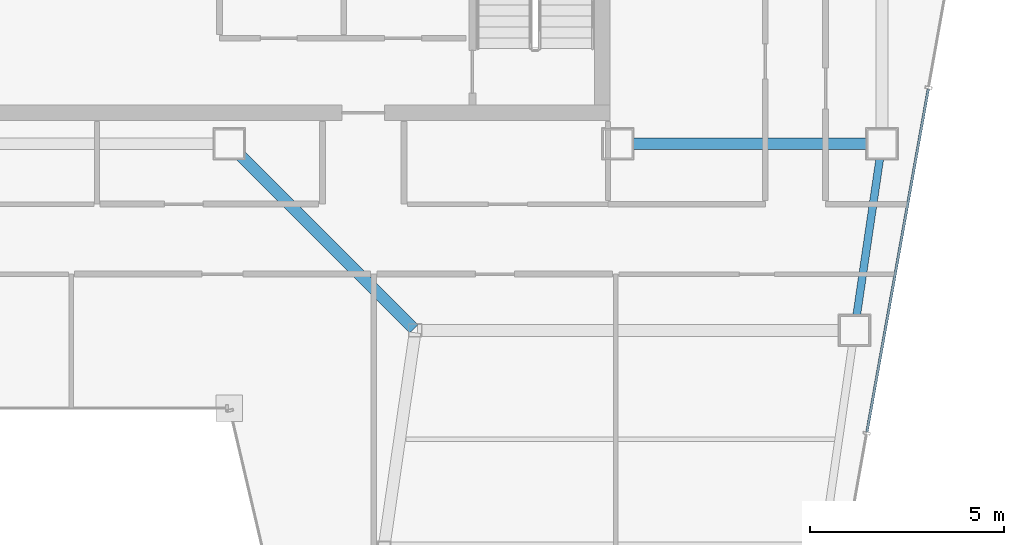
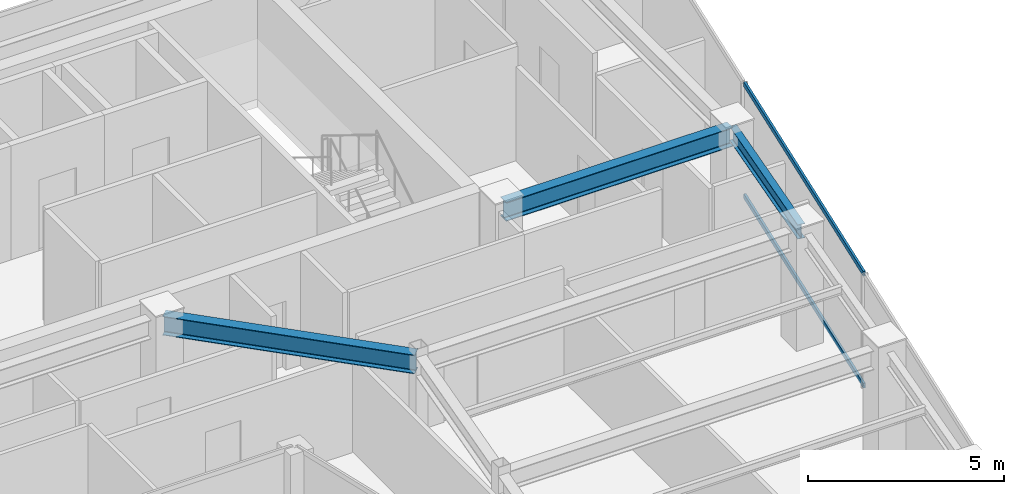
# One storey, part 18 of 32: 3 beams, 2 members, 1 element without a shape of its own.
"""IFC4 building model written with IfcOpenShell, lengths in metres."""

from ifc_helpers import new_model, si_unit, direction, frame, origin, origin_2d, place, context, subcontext, project, spatial, hollow_rectangle, i_section, extrude, material, material_profile, profile_set, type_object, element, aggregate, save


model = new_model("IFC4")

# Units and contexts
model_context = context("Model", 3, precision=1e-05, world=origin(), true_north=direction((0.0, 1.0)))
body_context = subcontext(model_context, "Body", "Model", "MODEL_VIEW")
ifc_project = project(units=[si_unit("LENGTHUNIT", "METRE"), si_unit("AREAUNIT", "SQUARE_METRE"), si_unit("VOLUMEUNIT", "CUBIC_METRE"), si_unit("PLANEANGLEUNIT", "RADIAN"), si_unit("MASSUNIT", "GRAM", prefix="KILO")], contexts=[model_context])

# Site, building, storey
site_placement = place(None, origin())
site = spatial("IfcSite", under=ifc_project, at=site_placement, CompositionType="ELEMENT")
building_placement = place(site_placement, origin())
building = spatial("IfcBuilding", under=site, at=building_placement, Name="Saevonmaru Cultural Tower", CompositionType="ELEMENT")
storey_placement = place(building_placement, frame((0.0, 0.0, 257.199951171875)))
storey = spatial("IfcBuildingStorey", under=building, at=storey_placement, Name="L60", CompositionType="ELEMENT", Elevation=257.199951171875)

# Beams
ifc_material_1 = material(Name="Steel SM355", Category="steel")
ifc_material_profile_1 = material_profile(ifc_material_1, i_section(OverallWidth=0.300048828125, OverallDepth=0.587890625, WebThickness=0.011962890625, FlangeThickness=0.02001953125, FilletRadius=0.02392578125, at=origin_2d()), Name="H-588x300x12x20")
ifc_profile_set_1 = profile_set([ifc_material_profile_1], Name="Steel SM355")
beam_type_1 = type_object("IfcBeamType", Name="BM-G-H588", PredefinedType="BEAM", material=ifc_profile_set_1)
beam_1_placement = place(storey_placement, frame((46.4599609375, 42.39990234375, 3.256103515625), z_axis=(1.0, 0.0, 0.0), x_axis=(0.0, 1.0, 0.0)))
element("IfcBeam", 1, at=beam_1_placement, inside=storey, type_object=beam_type_1, Name="L60 Core South Girder 5", PredefinedType="BEAM", context=body_context, shape_type="SweptSolid", body=[
    extrude(i_section(OverallWidth=0.300048828125, OverallDepth=0.587890625, WebThickness=0.011962890625, FlangeThickness=0.02001953125, FilletRadius=0.02392578125, at=origin_2d()), origin(), (0.0, 0.0, 1.0), 6.679931640625),
])
beam_2_placement = place(storey_placement, frame((41.149658203125, 37.642578125, 3.256103515625), z_axis=(-0.706538566564, 0.707674539572, 0.0), x_axis=(-0.707674539572, -0.706538566564, 0.0)))
element("IfcBeam", 2, at=beam_2_placement, inside=storey, type_object=beam_type_1, Name="L60 East Atrium Girder 3", PredefinedType="BEAM", context=body_context, shape_type="SweptSolid", body=[
    extrude(i_section(OverallWidth=0.300048828125, OverallDepth=0.587890625, WebThickness=0.011962890625, FlangeThickness=0.02001953125, FilletRadius=0.02392578125, at=origin_2d()), origin(), (0.0, 0.0, 1.0), 6.662353515625),
])
ifc_material_profile_2 = material_profile(ifc_material_1, i_section(OverallWidth=0.199951171875, OverallDepth=0.449951171875, WebThickness=0.009033203125, FlangeThickness=0.013916015625, FilletRadius=0.01806640625, at=origin_2d()), Name="H-450x200x9x14")
ifc_profile_set_2 = profile_set([ifc_material_profile_2], Name="Steel SM355")
beam_type_2 = type_object("IfcBeamType", Name="BM-SP-H450", PredefinedType="SPANDREL", material=ifc_profile_set_2)
beam_3_placement = place(storey_placement, frame((52.500732421875, 37.659423828125, 3.324951171875), z_axis=(0.145912860028, 0.989297446312, 0.0), x_axis=(-0.989297446312, 0.145912860028, 0.0)))
element("IfcBeam", 3, at=beam_3_placement, inside=storey, type_object=beam_type_2, Name="L60 East Splayed Spandrel 3", PredefinedType="SPANDREL", context=body_context, shape_type="SweptSolid", body=[
    extrude(i_section(OverallWidth=0.199951171875, OverallDepth=0.449951171875, WebThickness=0.009033203125, FlangeThickness=0.013916015625, FilletRadius=0.01806640625, at=origin_2d()), origin(), (0.0, 0.0, 1.0), 4.731689453125),
])

# Curtain wall, members
ifc_material_2 = material(Name="Satin Bronze Anodised Aluminium", Category="aluminium")
curtain_wall_type = type_object("IfcCurtainWallType", Name="CW-TYP-B", PredefinedType="NOTDEFINED", material=ifc_material_2)
curtain_wall_placement = place(storey_placement, origin())
curtain_wall = element("IfcCurtainWall", 4, at=curtain_wall_placement, inside=storey, type_object=curtain_wall_type, Name="L60 Unitised Curtain Wall E8", PredefinedType="NOTDEFINED")
ifc_material_profile_3 = material_profile(ifc_material_2, hollow_rectangle(XDim=0.06494140625, YDim=0.14990234375, WallThickness=0.00390625, at=origin_2d()), Name="ALU-TRAN-150x65x4")
ifc_profile_set_3 = profile_set([ifc_material_profile_3], Name="Satin Bronze Anodised Aluminium")
member_type = type_object("IfcMemberType", Name="TR-CW-150x65", PredefinedType="USERDEFINED", material=ifc_profile_set_3)
member_1_placement = place(storey_placement, frame((52.812255859375, 34.985107421875, 0.032470703125), z_axis=(0.176123157264, 0.984368139202, 0.0), x_axis=(-0.984368139202, 0.176123157264, 0.0)))
member_1 = element("IfcMember", 5, at=member_1_placement, type_object=member_type, Name="CW-TW-L60-E8 transom 2.1", ObjectType="TRANSOM", PredefinedType="USERDEFINED", context=body_context, shape_type="SweptSolid", body=[
    extrude(hollow_rectangle(XDim=0.06494140625, YDim=0.14990234375, WallThickness=0.00390625, at=origin_2d()), origin(), (0.0, 0.0, 1.0), 8.969970703125),
])
member_2_placement = place(storey_placement, frame((52.812255859375, 34.985107421875, 3.517578125), z_axis=(0.176123157264, 0.984368139202, 0.0), x_axis=(-0.984368139202, 0.176123157264, 0.0)))
member_2 = element("IfcMember", 6, at=member_2_placement, type_object=member_type, Name="CW-TW-L60-E8 transom 2.2", ObjectType="TRANSOM", PredefinedType="USERDEFINED", context=body_context, shape_type="SweptSolid", body=[
    extrude(hollow_rectangle(XDim=0.06494140625, YDim=0.14990234375, WallThickness=0.00390625, at=origin_2d()), origin(), (0.0, 0.0, 1.0), 8.969970703125),
])
aggregate(curtain_wall, [member_1, member_2])

save(model, "model.ifc")
